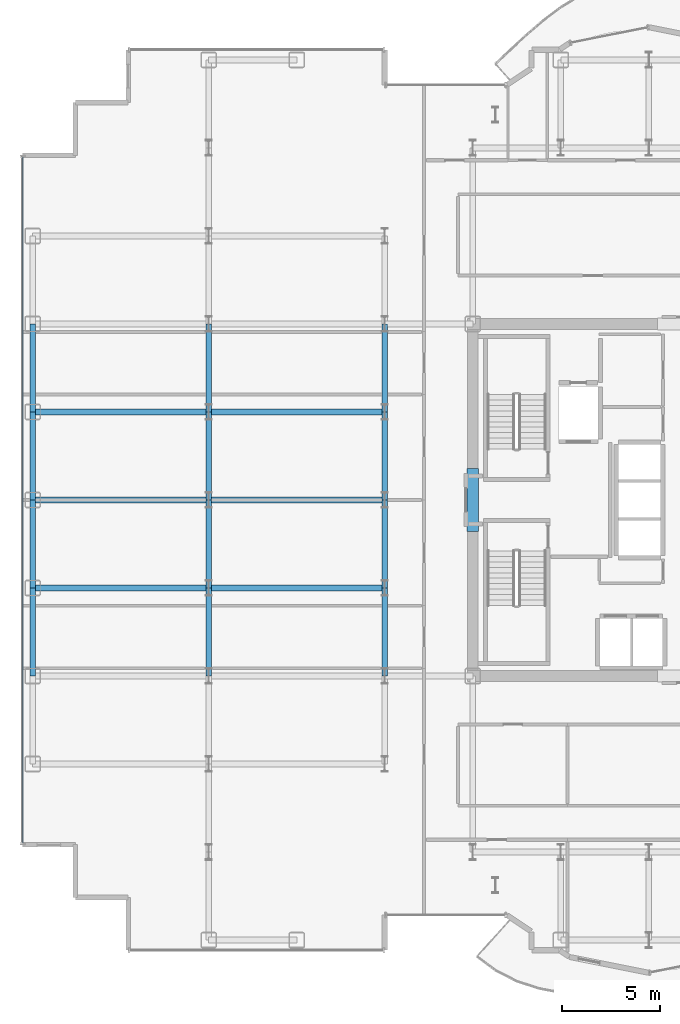
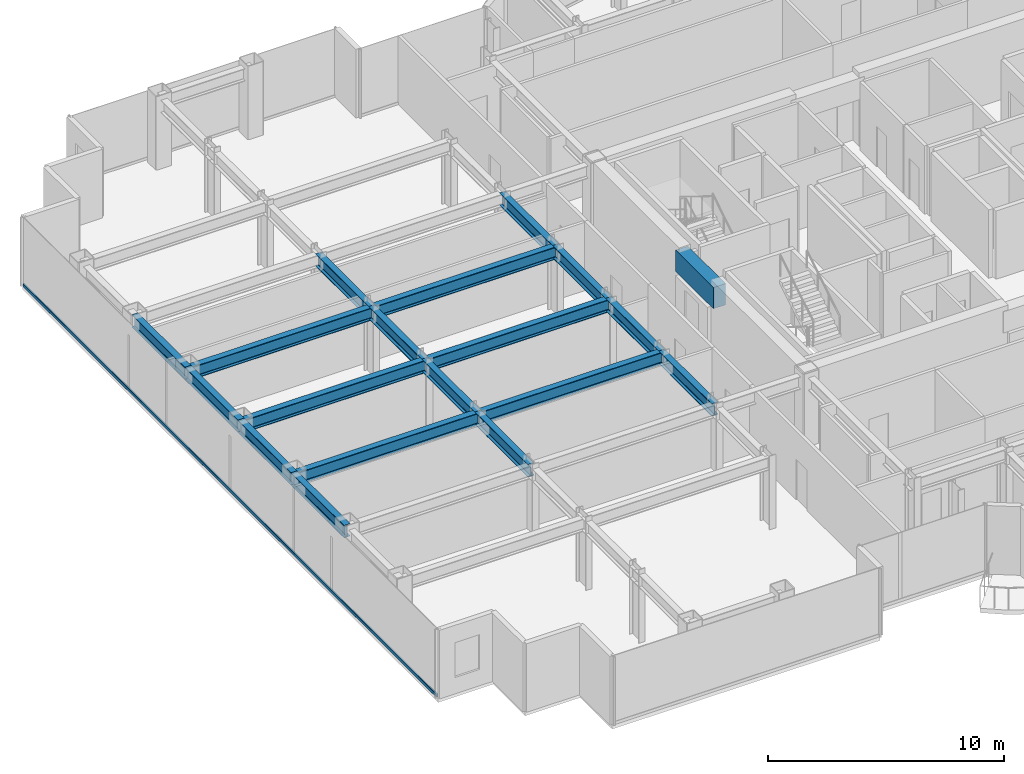
# One storey, part 6 of 22: 19 beams, 1 member, 1 element without a shape of its own.
"""IFC4 building model written with IfcOpenShell, lengths in metres."""

from ifc_helpers import new_model, si_unit, direction, frame, origin, origin_2d, place, context, subcontext, project, spatial, rectangle, hollow_rectangle, i_section, extrude, source, transform, mapped, material, layer, layer_set, material_profile, profile_set, type_object, element, aggregate, save


model = new_model("IFC4")

# Units and contexts
model_context = context("Model", 3, precision=1e-05, world=origin(), true_north=direction((0.0, 1.0)))
body_context = subcontext(model_context, "Body", "Model", "MODEL_VIEW")
ifc_project = project(units=[si_unit("LENGTHUNIT", "METRE"), si_unit("AREAUNIT", "SQUARE_METRE"), si_unit("VOLUMEUNIT", "CUBIC_METRE"), si_unit("PLANEANGLEUNIT", "RADIAN"), si_unit("MASSUNIT", "GRAM", prefix="KILO")], contexts=[model_context])

# Site, building, storey
site_placement = place(None, origin())
site = spatial("IfcSite", under=ifc_project, at=site_placement, CompositionType="ELEMENT")
building_placement = place(site_placement, origin())
building = spatial("IfcBuilding", under=site, at=building_placement, Name="Nefas-Gora Pilgrimage Tower", CompositionType="ELEMENT")
storey_placement = place(building_placement, frame((0.0, 0.0, 186.800048828125)))
storey = spatial("IfcBuildingStorey", under=building, at=storey_placement, Name="L46", CompositionType="ELEMENT", Elevation=186.800048828125)

# Beams
ifc_material_1 = material(Name="Concrete C60/75", Category="concrete")
ifc_material_profile_1 = material_profile(ifc_material_1, rectangle(XDim=0.60009765625, YDim=1.10009765625, at=origin_2d()), Name="RC 600x1100")
ifc_profile_set_1 = profile_set([ifc_material_profile_1], Name="Concrete C60/75")
beam_type_1 = type_object("IfcBeamType", Name="BM-LIN-RC1100", PredefinedType="LINTEL", material=ifc_profile_set_1)
shared_shape_1 = source(origin(), body_context, "Body", "SweptSolid", [
    extrude(rectangle(XDim=0.60009765625, YDim=1.10009765625, at=origin_2d()), origin(), (0.0, 0.0, 1.0), 3.2001953125),
])
beam_placement = place(storey_placement, frame((-11.25, -1.60009765625, 3.0), z_axis=(0.0, 1.0, 0.0), x_axis=(-1.0, 0.0, 0.0)))
element("IfcBeam", 1, at=beam_placement, inside=storey, type_object=beam_type_1, Name="L46 Core Coupling Lintel Beam W", PredefinedType="LINTEL", context=body_context, shape_type="MappedRepresentation", body=[
    mapped(shared_shape_1, transform((0.0, 0.0, 0.0), x_axis=(1.0, 0.0, 0.0), y_axis=(0.0, 1.0, 0.0), z_axis=(0.0, 0.0, 1.0), scale=1.0)),
])
ifc_material_2 = material(Name="Steel S355", Category="steel")
ifc_material_profile_2 = material_profile(ifc_material_2, i_section(OverallWidth=0.300048828125, OverallDepth=0.64990234375, WebThickness=0.01611328125, FlangeThickness=0.031005859375, FilletRadius=0.027099609375, at=origin_2d()), Name="HEB 650")
ifc_profile_set_2 = profile_set([ifc_material_profile_2], Name="Steel S355")
beam_type_2 = type_object("IfcBeamType", Name="BM-SPN-HEB500", PredefinedType="SPANDREL", material=ifc_profile_set_2)
shared_shape_2 = source(origin(), body_context, "Body", "SweptSolid", [
    extrude(i_section(OverallWidth=0.300048828125, OverallDepth=0.64990234375, WebThickness=0.01611328125, FlangeThickness=0.031005859375, FilletRadius=0.027099609375, at=origin_2d()), origin(), (0.0, 0.0, 1.0), 4.5),
])
for number, where, z_axis, x_axis, name in (
    (2, (-33.75, -9.0, 3.224853515625), (0.0, 1.0, 0.0), (-1.0, 0.0, 0.0), "L46 SP-02 beam"),
    (3, (-33.75, -4.5, 3.224853515625), (0.0, 1.0, 0.0), (-1.0, 0.0, 0.0), "L46 SP-02 beam"),
    (4, (-33.75, 0.0, 3.224853515625), (0.0, 1.0, 0.0), (-1.0, 0.0, 0.0), "L46 SP-02 beam"),
    (5, (-33.75, 4.5, 3.224853515625), (0.0, 1.0, 0.0), (-1.0, 0.0, 0.0), "L46 SP-02 beam"),
):
    element("IfcBeam", number, at=place(storey_placement, frame(where, z_axis=z_axis, x_axis=x_axis)), inside=storey, type_object=beam_type_2, Name=name, PredefinedType="SPANDREL", context=body_context, shape_type="MappedRepresentation", body=[
        mapped(shared_shape_2, transform((0.0, 0.0, 0.0), x_axis=(1.0, 0.0, 0.0), y_axis=(0.0, 1.0, 0.0), z_axis=(0.0, 0.0, 1.0), scale=1.0)),
    ])
ifc_material_profile_3 = material_profile(ifc_material_2, i_section(OverallWidth=0.300048828125, OverallDepth=0.64990234375, WebThickness=0.01611328125, FlangeThickness=0.031005859375, FilletRadius=0.027099609375, at=origin_2d()), Name="HEB 650")
ifc_profile_set_3 = profile_set([ifc_material_profile_3], Name="Steel S355")
beam_type_3 = type_object("IfcBeamType", Name="BM-GIR-HEB650", PredefinedType="BEAM", material=ifc_profile_set_3)
shared_shape_3 = source(origin(), body_context, "Body", "SweptSolid", [
    extrude(i_section(OverallWidth=0.300048828125, OverallDepth=0.64990234375, WebThickness=0.01611328125, FlangeThickness=0.031005859375, FilletRadius=0.027099609375, at=origin_2d()), origin(), (0.0, 0.0, 1.0), 9.0),
])
for number, where, z_axis, x_axis, name in (
    (6, (-33.75, -4.5, 3.224853515625), (1.0, 0.0, 0.0), (0.0, 1.0, 0.0), "L46 G-03 beam"),
    (7, (-33.75, 0.0, 3.224853515625), (1.0, 0.0, 0.0), (0.0, 1.0, 0.0), "L46 G-03 beam"),
    (8, (-33.75, 4.5, 3.224853515625), (1.0, 0.0, 0.0), (0.0, 1.0, 0.0), "L46 G-03 beam"),
    (9, (-24.75, -4.5, 3.224853515625), (1.0, 0.0, 0.0), (0.0, 1.0, 0.0), "L46 G-03 beam"),
    (10, (-24.75, 0.0, 3.224853515625), (1.0, 0.0, 0.0), (0.0, 1.0, 0.0), "L46 G-03 beam"),
    (11, (-24.75, 4.5, 3.224853515625), (1.0, 0.0, 0.0), (0.0, 1.0, 0.0), "L46 G-03 beam"),
):
    element("IfcBeam", number, at=place(storey_placement, frame(where, z_axis=z_axis, x_axis=x_axis)), inside=storey, type_object=beam_type_3, Name=name, PredefinedType="BEAM", context=body_context, shape_type="MappedRepresentation", body=[
        mapped(shared_shape_3, transform((0.0, 0.0, 0.0), x_axis=(1.0, 0.0, 0.0), y_axis=(0.0, 1.0, 0.0), z_axis=(0.0, 0.0, 1.0), scale=1.0)),
    ])
shared_shape_4 = source(origin(), body_context, "Body", "SweptSolid", [
    extrude(i_section(OverallWidth=0.300048828125, OverallDepth=0.64990234375, WebThickness=0.01611328125, FlangeThickness=0.031005859375, FilletRadius=0.027099609375, at=origin_2d()), origin(), (0.0, 0.0, 1.0), 4.5),
])
for number, where, z_axis, x_axis, name in (
    (12, (-24.75, -9.0, 3.224853515625), (0.0, 1.0, 0.0), (-1.0, 0.0, 0.0), "L46 G-03 beam"),
    (13, (-24.75, -4.5, 3.224853515625), (0.0, 1.0, 0.0), (-1.0, 0.0, 0.0), "L46 G-03 beam"),
    (14, (-24.75, 0.0, 3.224853515625), (0.0, 1.0, 0.0), (-1.0, 0.0, 0.0), "L46 G-03 beam"),
    (15, (-24.75, 4.5, 3.224853515625), (0.0, 1.0, 0.0), (-1.0, 0.0, 0.0), "L46 G-03 beam"),
    (16, (-15.75, -9.0, 3.224853515625), (0.0, 1.0, 0.0), (-1.0, 0.0, 0.0), "L46 G-03 beam"),
    (17, (-15.75, -4.5, 3.224853515625), (0.0, 1.0, 0.0), (-1.0, 0.0, 0.0), "L46 G-03 beam"),
    (18, (-15.75, 0.0, 3.224853515625), (0.0, 1.0, 0.0), (-1.0, 0.0, 0.0), "L46 G-03 beam"),
    (19, (-15.75, 4.5, 3.224853515625), (0.0, 1.0, 0.0), (-1.0, 0.0, 0.0), "L46 G-03 beam"),
):
    element("IfcBeam", number, at=place(storey_placement, frame(where, z_axis=z_axis, x_axis=x_axis)), inside=storey, type_object=beam_type_3, Name=name, PredefinedType="BEAM", context=body_context, shape_type="MappedRepresentation", body=[
        mapped(shared_shape_4, transform((0.0, 0.0, 0.0), x_axis=(1.0, 0.0, 0.0), y_axis=(0.0, 1.0, 0.0), z_axis=(0.0, 0.0, 1.0), scale=1.0)),
    ])

# Curtain wall, member
ifc_material_3 = material(Name="Dark ceramic-fritted solar-control aluminium-glass curtain wall", Category="aluminium")
ifc_layer = layer(ifc_material_3, 0.219970703125)
ifc_layer_set = layer_set([ifc_layer], Name="Dark ceramic-fritted solar-control aluminium-glass curtain wall")
curtain_wall_type = type_object("IfcCurtainWallType", Name="CW-SYS-3", PredefinedType="NOTDEFINED", material=ifc_layer_set)
curtain_wall_placement = place(storey_placement, origin())
curtain_wall = element("IfcCurtainWall", 20, at=curtain_wall_placement, inside=storey, type_object=curtain_wall_type, Name="L46 Unitised Curtain Wall CW3", PredefinedType="NOTDEFINED")
ifc_material_4 = material(Name="Anodised architectural aluminium", Category="aluminium")
ifc_material_profile_4 = material_profile(ifc_material_4, hollow_rectangle(XDim=0.080078125, YDim=0.159912109375, WallThickness=0.00439453125, InnerFilletRadius=0.00439453125, OuterFilletRadius=0.009033203125, at=origin_2d()), Name="ALU TRANSOM 80x160")
ifc_profile_set_4 = profile_set([ifc_material_profile_4], Name="Anodised architectural aluminium")
member_type = type_object("IfcMemberType", Name="CWM-TRN-3", PredefinedType="USERDEFINED", material=ifc_profile_set_4)
shared_shape_5 = source(origin(), body_context, "Body", "SweptSolid", [
    extrude(hollow_rectangle(XDim=0.080078125, YDim=0.159912109375, WallThickness=0.00439453125, InnerFilletRadius=0.00439453125, OuterFilletRadius=0.009033203125, at=origin_2d()), origin(), (0.0, 0.0, 1.0), 35.06005859375),
])
member_placement = place(storey_placement, frame((-34.27001953125, 17.530029296875, 0.050048828125), z_axis=(0.0, -1.0, 0.0), x_axis=(1.0, 0.0, 0.0)))
member = element("IfcMember", 21, at=member_placement, type_object=member_type, Name="CW3 Spandrel Transom", ObjectType="TRANSOM", PredefinedType="USERDEFINED", context=body_context, shape_type="MappedRepresentation", body=[
    mapped(shared_shape_5, transform((0.0, 0.0, 0.0), x_axis=(1.0, 0.0, 0.0), y_axis=(0.0, 1.0, 0.0), z_axis=(0.0, 0.0, 1.0), scale=1.0)),
])
aggregate(curtain_wall, [member])

save(model, "model.ifc")
